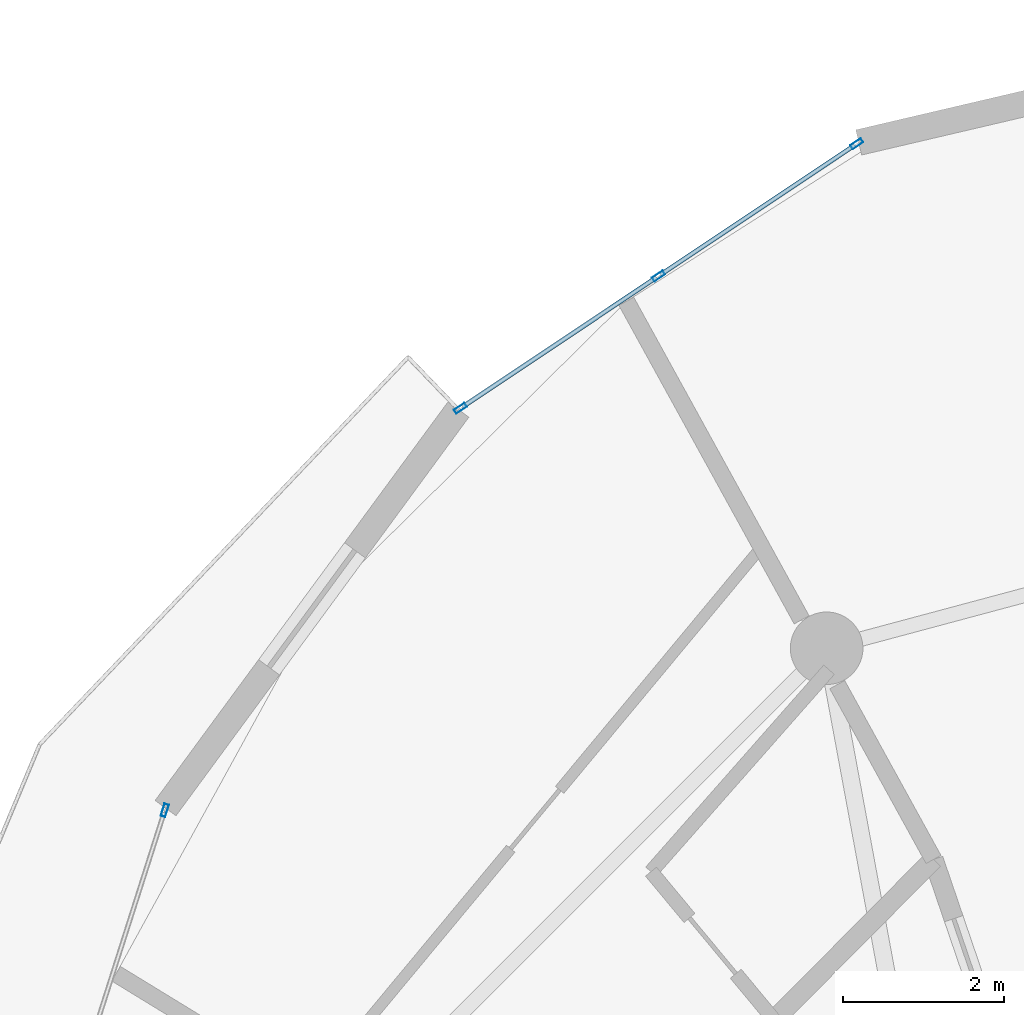
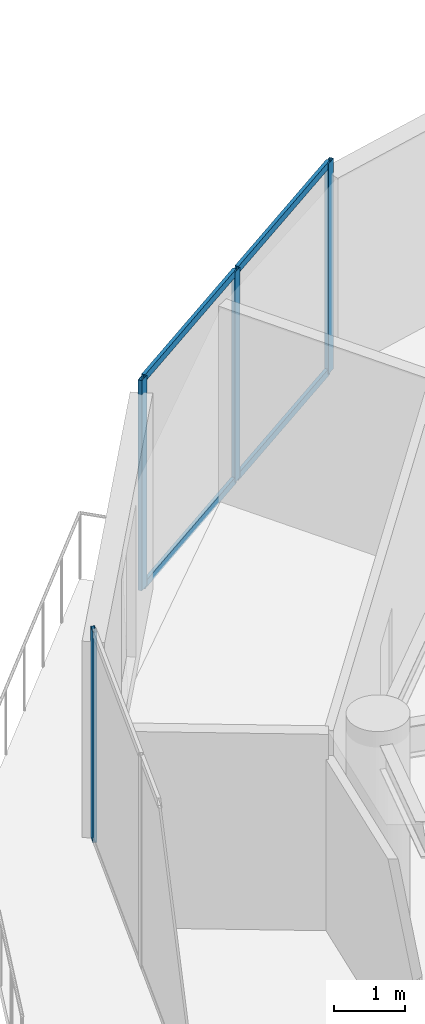
# One storey, part 11 of 20: 8 members, 2 elements without a shape of their own.
"""IFC4 building model written with IfcOpenShell, lengths in metres."""

from ifc_helpers import new_model, si_unit, direction, frame, origin, origin_2d, place, context, subcontext, project, spatial, hollow_rectangle, extrude, source, transform, mapped, material, layer, layer_set, material_profile, profile_set, type_object, element, aggregate, save


model = new_model("IFC4")

# Units and contexts
model_context = context("Model", 3, precision=1e-05, world=origin(), true_north=direction((0.0, 1.0)))
body_context = subcontext(model_context, "Body", "Model", "MODEL_VIEW")
ifc_project = project(units=[si_unit("LENGTHUNIT", "METRE"), si_unit("AREAUNIT", "SQUARE_METRE"), si_unit("VOLUMEUNIT", "CUBIC_METRE"), si_unit("PLANEANGLEUNIT", "RADIAN"), si_unit("MASSUNIT", "GRAM", prefix="KILO")], contexts=[model_context])

# Site, building, storey
site_placement = place(None, origin())
site = spatial("IfcSite", under=ifc_project, at=site_placement, CompositionType="ELEMENT")
building_placement = place(site_placement, origin())
building = spatial("IfcBuilding", under=site, at=building_placement, Name="Solvirekh Grand Hotel", CompositionType="ELEMENT")
storey_placement = place(building_placement, frame((0.0, 0.0, 209.199951171875)))
storey = spatial("IfcBuildingStorey", under=building, at=storey_placement, Name="L54", CompositionType="ELEMENT", Elevation=209.199951171875)

# Curtain wall, members
ifc_material = material(Name="Anodized Bronze Aluminium 6063-T6", Category="aluminium")
ifc_layer = layer(ifc_material, 0.159912109375)
ifc_layer_set = layer_set([ifc_layer], Name="Anodized Bronze Aluminium 6063-T6")
curtain_wall_type = type_object("IfcCurtainWallType", Name="CW_Sys4_HighZoneFlushBronzeCW", PredefinedType="NOTDEFINED", material=ifc_layer_set)
curtain_wall_1_placement = place(storey_placement, origin())
curtain_wall_1 = element("IfcCurtainWall", 1, at=curtain_wall_1_placement, inside=storey, type_object=curtain_wall_type, Name="L54 unitised bronze-glass curtain wall CW-L54-C11", PredefinedType="NOTDEFINED")
ifc_material_profile_1 = material_profile(ifc_material, hollow_rectangle(XDim=0.06005859375, YDim=0.159912109375, WallThickness=0.0048828125, at=origin_2d()), Name="ALU RHS 160X60X5")
ifc_profile_set_1 = profile_set([ifc_material_profile_1], Name="Anodized Bronze Aluminium 6063-T6")
member_type_1 = type_object("IfcMemberType", Name="CWMullion_Sys4", PredefinedType="MULLION", material=ifc_profile_set_1)
shared_shape_1 = source(origin(), body_context, "Body", "SweptSolid", [
    extrude(hollow_rectangle(XDim=0.06005859375, YDim=0.159912109375, WallThickness=0.0048828125, at=origin_2d()), origin(), (0.0, 0.0, 1.0), 3.60009765625),
])
member_1_placement = place(storey_placement, frame((-7.52685546875, 19.938232421875, 0.0), z_axis=(0.0, 0.0, 1.0), x_axis=(0.555086902533, -0.83179236029, 0.0)))
member_1 = element("IfcMember", 2, at=member_1_placement, type_object=member_type_1, Name="U04 mullion 1", PredefinedType="MULLION", context=body_context, shape_type="MappedRepresentation", body=[
    mapped(shared_shape_1, transform((0.0, 0.0, 0.0), x_axis=(1.0, 0.0, 0.0), y_axis=(0.0, 1.0, 0.0), z_axis=(0.0, 0.0, 1.0), scale=1.0)),
])
member_2_placement = place(storey_placement, frame((-9.9833984375, 18.299072265625, 0.0), z_axis=(0.0, 0.0, 1.0), x_axis=(0.555086902533, -0.83179236029, 0.0)))
member_2 = element("IfcMember", 3, at=member_2_placement, type_object=member_type_1, Name="U04 mullion 2", PredefinedType="MULLION", context=body_context, shape_type="MappedRepresentation", body=[
    mapped(shared_shape_1, transform((0.0, 0.0, 0.0), x_axis=(1.0, 0.0, 0.0), y_axis=(0.0, 1.0, 0.0), z_axis=(0.0, 0.0, 1.0), scale=1.0)),
])
member_3_placement = place(storey_placement, frame((-12.43994140625, 16.65966796875, 0.0), z_axis=(0.0, 0.0, 1.0), x_axis=(0.555086902533, -0.83179236029, 0.0)))
member_3 = element("IfcMember", 4, at=member_3_placement, type_object=member_type_1, Name="U04 mullion 3", PredefinedType="MULLION", context=body_context, shape_type="MappedRepresentation", body=[
    mapped(shared_shape_1, transform((0.0, 0.0, 0.0), x_axis=(1.0, 0.0, 0.0), y_axis=(0.0, 1.0, 0.0), z_axis=(0.0, 0.0, 1.0), scale=1.0)),
])

# Curtain wall, member
curtain_wall_2_placement = place(storey_placement, origin())
curtain_wall_2 = element("IfcCurtainWall", 5, at=curtain_wall_2_placement, inside=storey, type_object=curtain_wall_type, Name="L54 unitised bronze-glass curtain wall CW-L54-C13", PredefinedType="NOTDEFINED")
member_4_placement = place(storey_placement, frame((-16.105224609375, 11.67333984375, 0.0), z_axis=(0.0, 0.0, 1.0), x_axis=(0.952689107237, -0.303946483698, 0.0)))
member_4 = element("IfcMember", 6, at=member_4_placement, type_object=member_type_1, Name="U04 mullion 1", PredefinedType="MULLION", context=body_context, shape_type="MappedRepresentation", body=[
    mapped(shared_shape_1, transform((0.0, 0.0, 0.0), x_axis=(1.0, 0.0, 0.0), y_axis=(0.0, 1.0, 0.0), z_axis=(0.0, 0.0, 1.0), scale=1.0)),
])
aggregate(curtain_wall_2, [member_4])

# Member
ifc_material_profile_2 = material_profile(ifc_material, hollow_rectangle(XDim=0.054931640625, YDim=0.1201171875, WallThickness=0.00390625, at=origin_2d()), Name="ALU RHS 120X55X4")
ifc_profile_set_2 = profile_set([ifc_material_profile_2], Name="Anodized Bronze Aluminium 6063-T6")
member_type_2 = type_object("IfcMemberType", Name="CWTransom_Sys4", PredefinedType="USERDEFINED", material=ifc_profile_set_2)
shared_shape_2 = source(origin(), body_context, "Body", "SweptSolid", [
    extrude(hollow_rectangle(XDim=0.054931640625, YDim=0.1201171875, WallThickness=0.00390625, at=origin_2d()), origin(), (0.0, 0.0, 1.0), 2.89306640625),
])
member_5_placement = place(storey_placement, frame((-7.552001953125, 19.921630859375, 0.027587890625), z_axis=(-0.831790554655, -0.55508960825, 0.0), x_axis=(0.55508960825, -0.831790554655, 0.0)))
member_5 = element("IfcMember", 7, at=member_5_placement, type_object=member_type_2, Name="U04 transom 1.1", ObjectType="TRANSOM", PredefinedType="USERDEFINED", context=body_context, shape_type="MappedRepresentation", body=[
    mapped(shared_shape_2, transform((0.0, 0.0, 0.0), x_axis=(1.0, 0.0, 0.0), y_axis=(0.0, 1.0, 0.0), z_axis=(0.0, 0.0, 1.0), scale=1.0)),
])

member_6_placement = place(storey_placement, frame((-7.552001953125, 19.921630859375, 3.572509765625), z_axis=(-0.831790554655, -0.55508960825, 0.0), x_axis=(0.55508960825, -0.831790554655, 0.0)))
member_6 = element("IfcMember", 8, at=member_6_placement, type_object=member_type_2, Name="U04 transom 1.2", ObjectType="TRANSOM", PredefinedType="USERDEFINED", context=body_context, shape_type="MappedRepresentation", body=[
    mapped(shared_shape_2, transform((0.0, 0.0, 0.0), x_axis=(1.0, 0.0, 0.0), y_axis=(0.0, 1.0, 0.0), z_axis=(0.0, 0.0, 1.0), scale=1.0)),
])

member_7_placement = place(storey_placement, frame((-10.008544921875, 18.2822265625, 0.027587890625), z_axis=(-0.831790554655, -0.55508960825, 0.0), x_axis=(0.55508960825, -0.831790554655, 0.0)))
member_7 = element("IfcMember", 9, at=member_7_placement, type_object=member_type_2, Name="U04 transom 2.1", ObjectType="TRANSOM", PredefinedType="USERDEFINED", context=body_context, shape_type="MappedRepresentation", body=[
    mapped(shared_shape_2, transform((0.0, 0.0, 0.0), x_axis=(1.0, 0.0, 0.0), y_axis=(0.0, 1.0, 0.0), z_axis=(0.0, 0.0, 1.0), scale=1.0)),
])

member_8_placement = place(storey_placement, frame((-10.008544921875, 18.2822265625, 3.572509765625), z_axis=(-0.831790554655, -0.55508960825, 0.0), x_axis=(0.55508960825, -0.831790554655, 0.0)))
member_8 = element("IfcMember", 10, at=member_8_placement, type_object=member_type_2, Name="U04 transom 2.2", ObjectType="TRANSOM", PredefinedType="USERDEFINED", context=body_context, shape_type="MappedRepresentation", body=[
    mapped(shared_shape_2, transform((0.0, 0.0, 0.0), x_axis=(1.0, 0.0, 0.0), y_axis=(0.0, 1.0, 0.0), z_axis=(0.0, 0.0, 1.0), scale=1.0)),
])

aggregate(curtain_wall_1, [member_1, member_2, member_3, member_5, member_6, member_7, member_8])

save(model, "model.ifc")
